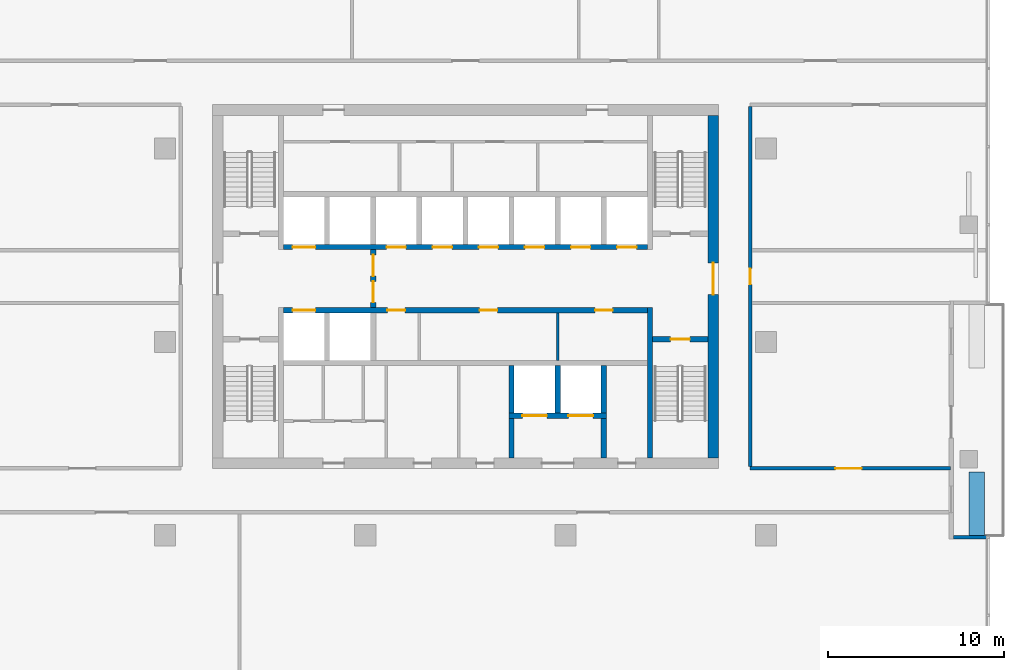
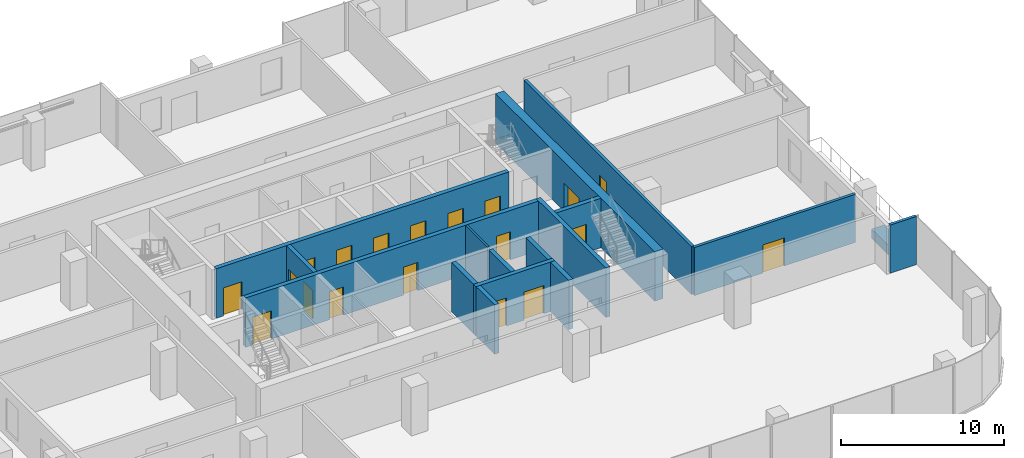
# One storey, part 8 of 13: 19 doors, 17 walls, 19 openings.
"""IFC4 building model written with IfcOpenShell, lengths in metres."""

from ifc_helpers import new_model, si_unit, direction, frame, frame_2d, origin, place, context, subcontext, project, spatial, rectangle, extrude, material, layer, layer_set, type_object, element, fill, save


model = new_model("IFC4")

# Units and contexts
model_context = context("Model", 3, precision=1e-05, world=origin(), true_north=direction((0.0, 1.0)))
body_context = subcontext(model_context, "Body", "Model", "MODEL_VIEW")
ifc_project = project(units=[si_unit("LENGTHUNIT", "METRE"), si_unit("AREAUNIT", "SQUARE_METRE"), si_unit("VOLUMEUNIT", "CUBIC_METRE"), si_unit("PLANEANGLEUNIT", "RADIAN"), si_unit("MASSUNIT", "GRAM", prefix="KILO")], contexts=[model_context])

# Site, building, storey
site_placement = place(None, origin())
site = spatial("IfcSite", under=ifc_project, at=site_placement, CompositionType="ELEMENT")
building_placement = place(site_placement, origin())
building = spatial("IfcBuilding", under=site, at=building_placement, Name="Mopane Tessera Tower", CompositionType="ELEMENT")
storey_placement = place(building_placement, frame((0.0, 0.0, 287.39990234375)))
storey = spatial("IfcBuildingStorey", under=building, at=storey_placement, Name="L62", CompositionType="ELEMENT", Elevation=287.39990234375)

# Wall
ifc_material_1 = material(Name="Fire-rated gypsum board partition")
ifc_layer_1 = layer(ifc_material_1, 0.14990234375)
ifc_layer_set_1 = layer_set([ifc_layer_1], Name="Fire-rated gypsum board partition")
wall_type_1 = type_object("IfcWallType", Name="Core room partition 150 mm", PredefinedType="PARTITIONING", material=ifc_layer_set_1)
wall_1_placement = place(storey_placement, frame((5.25, -1.050048828125, 0.0), z_axis=(0.0, 0.0, 1.0), x_axis=(0.0, 1.0, 0.0)))
element("IfcWall", 1, at=wall_1_placement, inside=storey, type_object=wall_type_1, Name="L62 Room partition", PredefinedType="PARTITIONING", context=body_context, shape_type="SweptSolid", body=[
    extrude(rectangle(XDim=2.699951171875, YDim=0.14990234375, at=frame_2d((1.35009765625, 0.0))), origin(), (0.0, 0.0, 1.0), 3.7001953125),
])

# Wall, opening, door
ifc_material_2 = material(Name="Concrete C70/85", Category="concrete")
ifc_layer_2 = layer(ifc_material_2, 0.60009765625)
ifc_layer_set_2 = layer_set([ifc_layer_2], Name="Concrete C70/85")
wall_type_2 = type_object("IfcWallType", Name="Core shear wall 600 mm", PredefinedType="SHEAR", material=ifc_layer_set_2)
wall_2_placement = place(storey_placement, frame((14.10009765625, -6.60009765625, 0.0), z_axis=(0.0, 0.0, 1.0), x_axis=(0.0, 1.0, 0.0)))
wall_2 = element("IfcWall", 2, at=wall_2_placement, inside=storey, type_object=wall_type_2, Name="L62 Core wall east", PredefinedType="SHEAR", context=body_context, shape_type="SweptSolid", body=[
    extrude(rectangle(XDim=19.5, YDim=0.60009765625, at=frame_2d((9.75, 0.0))), origin(), (0.0, 0.0, 1.0), 3.7001953125),
])
opening_1_placement = place(wall_2_placement, frame((9.300048828125, 0.0, 0.0)))
opening_1 = element("IfcOpeningElement", 3, at=opening_1_placement, cuts=wall_2, Name="Opening SD2", PredefinedType="OPENING", context=body_context, shape_type="SweptSolid", body=[
    extrude(rectangle(XDim=1.800048828125, YDim=2.10009765625, at=frame_2d((0.89990234375, 1.050048828125))), frame((0.0, 0.31201171875, 0.0), z_axis=(0.0, -1.0, 0.0), x_axis=(1.0, 0.0, 0.0)), (0.0, 0.0, 1.0), 0.6240234375),
])
ifc_material_3 = material(Name="Steel fire door", Category="steel")
door_type_1 = type_object("IfcDoorType", Name="Core entrance double door 1800 x 2100", OperationType="DOUBLE_DOOR_SINGLE_SWING", PredefinedType="DOOR", material=ifc_material_3)
door_1_placement = place(opening_1_placement, origin())
door_1 = element("IfcDoor", 4, at=door_1_placement, inside=storey, type_object=door_type_1, Name="L62 Core entrance door east", OperationType="DOUBLE_DOOR_SINGLE_SWING", OverallHeight=2.10009765625, OverallWidth=1.800048828125, PredefinedType="DOOR", context=body_context, shape_type="SweptSolid", body=[
    extrude(rectangle(XDim=1.800048828125, YDim=2.10009765625, at=frame_2d((0.89990234375, 1.050048828125))), frame((0.0, 0.02490234375, 0.0), z_axis=(0.0, -1.0, 0.0), x_axis=(1.0, 0.0, 0.0)), (0.0, 0.0, 1.0), 0.050048828125),
])
fill(opening_1, door_1)

# Wall
ifc_material_4 = material(Name="Concrete C60/75", Category="concrete")
ifc_layer_3 = layer(ifc_material_4, 0.300048828125)
ifc_layer_set_3 = layer_set([ifc_layer_3], Name="Concrete C60/75")
wall_type_3 = type_object("IfcWallType", Name="Core spine wall 300 mm", PredefinedType="SHEAR", material=ifc_layer_set_3)
wall_3_placement = place(storey_placement, frame((10.5, -6.60009765625, 0.0), z_axis=(0.0, 0.0, 1.0), x_axis=(0.0, 1.0, 0.0)))
element("IfcWall", 5, at=wall_3_placement, inside=storey, type_object=wall_type_3, Name="L62 Core spine wall", PredefinedType="SHEAR", context=body_context, shape_type="SweptSolid", body=[
    extrude(rectangle(XDim=8.550048828125, YDim=0.300048828125, at=frame_2d((4.27490234375, 0.0))), origin(), (0.0, 0.0, 1.0), 3.7001953125),
])

# Wall, opening, door
ifc_material_5 = material(Name="Gypsum board on steel studs, two layers each face, mineral wool infill", Category="steel")
ifc_layer_4 = layer(ifc_material_5, 0.199951171875)
ifc_layer_set_4 = layer_set([ifc_layer_4], Name="Gypsum board on steel studs, two layers each face, mineral wool infill")
wall_type_4 = type_object("IfcWallType", Name="Gypsum board corridor wall 200, rated EI 60", PredefinedType="PARTITIONING", material=ifc_layer_set_4)
wall_4_placement = place(storey_placement, frame((16.199951171875, -7.199951171875, 0.0), z_axis=(0.0, 0.0, 1.0), x_axis=(1.0, 0.0, 0.0)))
wall_4 = element("IfcWall", 6, at=wall_4_placement, inside=storey, type_object=wall_type_4, Name="Partition L62:002", PredefinedType="PARTITIONING", context=body_context, shape_type="SweptSolid", body=[
    extrude(rectangle(XDim=11.400146484375, YDim=0.199951171875, at=frame_2d((5.7001953125, 0.0))), origin(), (0.0, 0.0, 1.0), 3.60009765625),
])
opening_2_placement = place(wall_4_placement, frame((4.85009765625, 0.0, 0.0)))
opening_2 = element("IfcOpeningElement", 7, at=opening_2_placement, cuts=wall_4, Name="Opening L62-12", PredefinedType="OPENING", context=body_context, shape_type="SweptSolid", body=[
    extrude(rectangle(XDim=1.5, YDim=2.10009765625, at=frame_2d((0.75, 1.050048828125))), frame((0.0, 0.112060546875, 0.0), z_axis=(0.0, -1.0, 0.0), x_axis=(1.0, 0.0, 0.0)), (0.0, 0.0, 1.0), 0.223876953125),
])
ifc_material_6 = material(Name="Timber veneered steel-framed fire door", Category="steel")
door_type_2 = type_object("IfcDoorType", Name="Fire door pair FD60 1500 x 2100", OperationType="DOUBLE_DOOR_SINGLE_SWING", PredefinedType="DOOR", material=ifc_material_6)
door_2_placement = place(opening_2_placement, origin())
door_2 = element("IfcDoor", 8, at=door_2_placement, inside=storey, type_object=door_type_2, Name="Door L62-12", ObjectType="D17A", OperationType="DOUBLE_DOOR_SINGLE_SWING", OverallHeight=2.10009765625, OverallWidth=1.5, PredefinedType="DOOR", context=body_context, shape_type="SweptSolid", body=[
    extrude(rectangle(XDim=1.5, YDim=2.10009765625, at=frame_2d((0.75, 1.050048828125))), frame((0.0, 0.02490234375, 0.0), z_axis=(0.0, -1.0, 0.0), x_axis=(1.0, 0.0, 0.0)), (0.0, 0.0, 1.0), 0.050048828125),
])
fill(opening_2, door_2)

wall_5_placement = place(storey_placement, frame((16.199951171875, -7.10009765625, 0.0), z_axis=(0.0, 0.0, 1.0), x_axis=(0.0, 1.0, 0.0)))
wall_5 = element("IfcWall", 9, at=wall_5_placement, inside=storey, type_object=wall_type_4, Name="Partition L62:015", PredefinedType="PARTITIONING", context=body_context, shape_type="SweptSolid", body=[
    extrude(rectangle(XDim=20.5, YDim=0.199951171875, at=frame_2d((10.25, 0.0))), origin(), (0.0, 0.0, 1.0), 3.60009765625),
])
opening_3_placement = place(wall_5_placement, frame((10.3701171875, 0.0, 0.0)))
opening_3 = element("IfcOpeningElement", 10, at=opening_3_placement, cuts=wall_5, Name="Opening L62-09", PredefinedType="OPENING", context=body_context, shape_type="SweptSolid", body=[
    extrude(rectangle(XDim=0.89990234375, YDim=2.10009765625, at=frame_2d((0.449951171875, 1.050048828125))), frame((0.0, 0.112060546875, 0.0), z_axis=(0.0, -1.0, 0.0), x_axis=(1.0, 0.0, 0.0)), (0.0, 0.0, 1.0), 0.223876953125),
])
ifc_material_7 = material(Name="Timber veneered steel-framed fire door", Category="steel")
door_type_3 = type_object("IfcDoorType", Name="Fire door FD60 900 x 2100", OperationType="SINGLE_SWING_LEFT", PredefinedType="DOOR", material=ifc_material_7)
door_3_placement = place(opening_3_placement, origin())
door_3 = element("IfcDoor", 11, at=door_3_placement, inside=storey, type_object=door_type_3, Name="Door L62-09", ObjectType="D10A", OperationType="SINGLE_SWING_LEFT", OverallHeight=2.10009765625, OverallWidth=0.89990234375, PredefinedType="DOOR", context=body_context, shape_type="SweptSolid", body=[
    extrude(rectangle(XDim=0.89990234375, YDim=2.10009765625, at=frame_2d((0.449951171875, 1.050048828125))), frame((0.0, 0.02490234375, 0.0), z_axis=(0.0, -1.0, 0.0), x_axis=(1.0, 0.0, 0.0)), (0.0, 0.0, 1.0), 0.050048828125),
])
fill(opening_3, door_3)

ifc_material_8 = material(Name="Concrete C50/60", Category="concrete")
ifc_layer_5 = layer(ifc_material_8, 0.300048828125)
ifc_layer_set_5 = layer_set([ifc_layer_5], Name="Concrete C50/60")
wall_type_5 = type_object("IfcWallType", Name="Lift and stair shaft wall 300 mm", PredefinedType="SOLIDWALL", material=ifc_layer_set_5)
wall_6_placement = place(storey_placement, frame((10.64990234375, 0.14990234375, 0.0), z_axis=(0.0, 0.0, 1.0), x_axis=(1.0, 0.0, 0.0)))
wall_6 = element("IfcWall", 12, at=wall_6_placement, inside=storey, type_object=wall_type_5, Name="L62 Stair enclosure wall", PredefinedType="SOLIDWALL", context=body_context, shape_type="SweptSolid", body=[
    extrude(rectangle(XDim=3.150146484375, YDim=0.300048828125, at=frame_2d((1.5751953125, 0.0))), origin(), (0.0, 0.0, 1.0), 3.7001953125),
])
opening_4_placement = place(wall_6_placement, frame((1.02490234375, 0.0, 0.0)))
opening_4 = element("IfcOpeningElement", 13, at=opening_4_placement, cuts=wall_6, Name="Opening SD1", PredefinedType="OPENING", context=body_context, shape_type="SweptSolid", body=[
    extrude(rectangle(XDim=1.10009765625, YDim=2.10009765625, at=frame_2d((0.550048828125, 1.050048828125))), frame((0.0, 0.162109375, 0.0), z_axis=(0.0, -1.0, 0.0), x_axis=(1.0, 0.0, 0.0)), (0.0, 0.0, 1.0), 0.323974609375),
])
ifc_material_9 = material(Name="Steel fire door", Category="steel")
door_type_4 = type_object("IfcDoorType", Name="Stair fire door 1100 x 2100", OperationType="SINGLE_SWING_LEFT", PredefinedType="DOOR", material=ifc_material_9)
door_4_placement = place(opening_4_placement, origin())
door_4 = element("IfcDoor", 14, at=door_4_placement, inside=storey, type_object=door_type_4, Name="L62 Stair door ST3", OperationType="SINGLE_SWING_RIGHT", OverallHeight=2.10009765625, OverallWidth=1.10009765625, PredefinedType="DOOR", context=body_context, shape_type="SweptSolid", body=[
    extrude(rectangle(XDim=1.10009765625, YDim=2.10009765625, at=frame_2d((0.550048828125, 1.050048828125))), frame((0.0, 0.02490234375, 0.0), z_axis=(0.0, -1.0, 0.0), x_axis=(1.0, 0.0, 0.0)), (0.0, 0.0, 1.0), 0.050048828125),
])
fill(opening_4, door_4)

# Wall, openings, doors
wall_7_placement = place(storey_placement, frame((-10.35009765625, 1.800048828125, 0.0), z_axis=(0.0, 0.0, 1.0), x_axis=(1.0, 0.0, 0.0)))
wall_7 = element("IfcWall", 15, at=wall_7_placement, inside=storey, type_object=wall_type_5, Name="L62 Lift shaft front wall", PredefinedType="SOLIDWALL", context=body_context, shape_type="SweptSolid", body=[
    extrude(rectangle(XDim=20.7001953125, YDim=0.300048828125, at=frame_2d((10.35009765625, 0.0))), origin(), (0.0, 0.0, 1.0), 3.7001953125),
])
opening_5_placement = place(wall_7_placement, frame((0.512451171875, 0.0, 0.0)))
opening_5 = element("IfcOpeningElement", 16, at=opening_5_placement, cuts=wall_7, Name="Opening LD2", PredefinedType="OPENING", context=body_context, shape_type="SweptSolid", body=[
    extrude(rectangle(XDim=1.300048828125, YDim=2.10009765625, at=frame_2d((0.64990234375, 1.050048828125))), frame((0.0, 0.162109375, 0.0), z_axis=(0.0, -1.0, 0.0), x_axis=(1.0, 0.0, 0.0)), (0.0, 0.0, 1.0), 0.323974609375),
])
opening_6_placement = place(wall_7_placement, frame((5.91259765625, 0.0, 0.0)))
opening_6 = element("IfcOpeningElement", 17, at=opening_6_placement, cuts=wall_7, Name="Opening RD1", PredefinedType="OPENING", context=body_context, shape_type="SweptSolid", body=[
    extrude(rectangle(XDim=1.0, YDim=2.10009765625, at=frame_2d((0.5, 1.050048828125))), frame((0.0, 0.162109375, 0.0), z_axis=(0.0, -1.0, 0.0), x_axis=(1.0, 0.0, 0.0)), (0.0, 0.0, 1.0), 0.323974609375),
])
opening_7_placement = place(wall_7_placement, frame((11.16259765625, 0.0, 0.0)))
opening_7 = element("IfcOpeningElement", 18, at=opening_7_placement, cuts=wall_7, Name="Opening RD1", PredefinedType="OPENING", context=body_context, shape_type="SweptSolid", body=[
    extrude(rectangle(XDim=1.0, YDim=2.10009765625, at=frame_2d((0.5, 1.050048828125))), frame((0.0, 0.162109375, 0.0), z_axis=(0.0, -1.0, 0.0), x_axis=(1.0, 0.0, 0.0)), (0.0, 0.0, 1.0), 0.323974609375),
])
opening_8_placement = place(wall_7_placement, frame((17.72509765625, 0.0, 0.0)))
opening_8 = element("IfcOpeningElement", 19, at=opening_8_placement, cuts=wall_7, Name="Opening RD1", PredefinedType="OPENING", context=body_context, shape_type="SweptSolid", body=[
    extrude(rectangle(XDim=1.0, YDim=2.10009765625, at=frame_2d((0.5, 1.050048828125))), frame((0.0, 0.162109375, 0.0), z_axis=(0.0, -1.0, 0.0), x_axis=(1.0, 0.0, 0.0)), (0.0, 0.0, 1.0), 0.323974609375),
])
ifc_material_10 = material(Name="Timber door", Category="wood")
door_type_5 = type_object("IfcDoorType", Name="Core room door 1000 x 2100", OperationType="SINGLE_SWING_LEFT", PredefinedType="DOOR", material=ifc_material_10)
door_5_placement = place(opening_6_placement, origin())
door_5 = element("IfcDoor", 20, at=door_5_placement, inside=storey, type_object=door_type_5, Name="L62 Room door", OperationType="SINGLE_SWING_LEFT", OverallHeight=2.10009765625, OverallWidth=1.0, PredefinedType="DOOR", context=body_context, shape_type="SweptSolid", body=[
    extrude(rectangle(XDim=1.0, YDim=2.10009765625, at=frame_2d((0.5, 1.050048828125))), frame((0.0, 0.02490234375, 0.0), z_axis=(0.0, -1.0, 0.0), x_axis=(1.0, 0.0, 0.0)), (0.0, 0.0, 1.0), 0.050048828125),
])
fill(opening_6, door_5)
door_6_placement = place(opening_7_placement, origin())
door_6 = element("IfcDoor", 21, at=door_6_placement, inside=storey, type_object=door_type_5, Name="L62 Room door", OperationType="SINGLE_SWING_LEFT", OverallHeight=2.10009765625, OverallWidth=1.0, PredefinedType="DOOR", context=body_context, shape_type="SweptSolid", body=[
    extrude(rectangle(XDim=1.0, YDim=2.10009765625, at=frame_2d((0.5, 1.050048828125))), frame((0.0, 0.02490234375, 0.0), z_axis=(0.0, -1.0, 0.0), x_axis=(1.0, 0.0, 0.0)), (0.0, 0.0, 1.0), 0.050048828125),
])
fill(opening_7, door_6)
door_7_placement = place(opening_8_placement, origin())
door_7 = element("IfcDoor", 22, at=door_7_placement, inside=storey, type_object=door_type_5, Name="L62 Room door", OperationType="SINGLE_SWING_LEFT", OverallHeight=2.10009765625, OverallWidth=1.0, PredefinedType="DOOR", context=body_context, shape_type="SweptSolid", body=[
    extrude(rectangle(XDim=1.0, YDim=2.10009765625, at=frame_2d((0.5, 1.050048828125))), frame((0.0, 0.02490234375, 0.0), z_axis=(0.0, -1.0, 0.0), x_axis=(1.0, 0.0, 0.0)), (0.0, 0.0, 1.0), 0.050048828125),
])
fill(opening_8, door_7)
ifc_material_11 = material(Name="Stainless steel sliding door", Category="steel")
door_type_6 = type_object("IfcDoorType", Name="Fire-fighting lift landing door 1300 x 2100", OperationType="DOUBLE_DOOR_SLIDING", PredefinedType="DOOR", material=ifc_material_11)
door_8_placement = place(opening_5_placement, origin())
door_8 = element("IfcDoor", 23, at=door_8_placement, inside=storey, type_object=door_type_6, Name="L62 Lift landing door FF1", OperationType="DOUBLE_DOOR_SLIDING", OverallHeight=2.10009765625, OverallWidth=1.300048828125, PredefinedType="DOOR", context=body_context, shape_type="SweptSolid", body=[
    extrude(rectangle(XDim=1.300048828125, YDim=2.10009765625, at=frame_2d((0.64990234375, 1.050048828125))), frame((0.0, 0.02490234375, 0.0), z_axis=(0.0, -1.0, 0.0), x_axis=(1.0, 0.0, 0.0)), (0.0, 0.0, 1.0), 0.050048828125),
])
fill(opening_5, door_8)

wall_8_placement = place(storey_placement, frame((-10.35009765625, 5.39990234375, 0.0), z_axis=(0.0, 0.0, 1.0), x_axis=(1.0, 0.0, 0.0)))
wall_8 = element("IfcWall", 24, at=wall_8_placement, inside=storey, type_object=wall_type_5, Name="L62 Lift shaft front wall", PredefinedType="SOLIDWALL", context=body_context, shape_type="SweptSolid", body=[
    extrude(rectangle(XDim=20.7001953125, YDim=0.300048828125, at=frame_2d((10.35009765625, 0.0))), origin(), (0.0, 0.0, 1.0), 3.7001953125),
])
opening_9_placement = place(wall_8_placement, frame((0.512451171875, 0.0, 0.0)))
opening_9 = element("IfcOpeningElement", 25, at=opening_9_placement, cuts=wall_8, Name="Opening LD2", PredefinedType="OPENING", context=body_context, shape_type="SweptSolid", body=[
    extrude(rectangle(XDim=1.300048828125, YDim=2.10009765625, at=frame_2d((0.64990234375, 1.050048828125))), frame((0.0, 0.162109375, 0.0), z_axis=(0.0, -1.0, 0.0), x_axis=(1.0, 0.0, 0.0)), (0.0, 0.0, 1.0), 0.323974609375),
])
opening_10_placement = place(wall_8_placement, frame((5.862548828125, 0.0, 0.0)))
opening_10 = element("IfcOpeningElement", 26, at=opening_10_placement, cuts=wall_8, Name="Opening LD", PredefinedType="OPENING", context=body_context, shape_type="SweptSolid", body=[
    extrude(rectangle(XDim=1.10009765625, YDim=2.10009765625, at=frame_2d((0.550048828125, 1.050048828125))), frame((0.0, 0.162109375, 0.0), z_axis=(0.0, -1.0, 0.0), x_axis=(1.0, 0.0, 0.0)), (0.0, 0.0, 1.0), 0.323974609375),
])
opening_11_placement = place(wall_8_placement, frame((8.487548828125, 0.0, 0.0)))
opening_11 = element("IfcOpeningElement", 27, at=opening_11_placement, cuts=wall_8, Name="Opening LD", PredefinedType="OPENING", context=body_context, shape_type="SweptSolid", body=[
    extrude(rectangle(XDim=1.10009765625, YDim=2.10009765625, at=frame_2d((0.550048828125, 1.050048828125))), frame((0.0, 0.162109375, 0.0), z_axis=(0.0, -1.0, 0.0), x_axis=(1.0, 0.0, 0.0)), (0.0, 0.0, 1.0), 0.323974609375),
])
opening_12_placement = place(wall_8_placement, frame((11.112548828125, 0.0, 0.0)))
opening_12 = element("IfcOpeningElement", 28, at=opening_12_placement, cuts=wall_8, Name="Opening LD", PredefinedType="OPENING", context=body_context, shape_type="SweptSolid", body=[
    extrude(rectangle(XDim=1.10009765625, YDim=2.10009765625, at=frame_2d((0.550048828125, 1.050048828125))), frame((0.0, 0.162109375, 0.0), z_axis=(0.0, -1.0, 0.0), x_axis=(1.0, 0.0, 0.0)), (0.0, 0.0, 1.0), 0.323974609375),
])
opening_13_placement = place(wall_8_placement, frame((13.737548828125, 0.0, 0.0)))
opening_13 = element("IfcOpeningElement", 29, at=opening_13_placement, cuts=wall_8, Name="Opening LD", PredefinedType="OPENING", context=body_context, shape_type="SweptSolid", body=[
    extrude(rectangle(XDim=1.10009765625, YDim=2.10009765625, at=frame_2d((0.550048828125, 1.050048828125))), frame((0.0, 0.162109375, 0.0), z_axis=(0.0, -1.0, 0.0), x_axis=(1.0, 0.0, 0.0)), (0.0, 0.0, 1.0), 0.323974609375),
])
opening_14_placement = place(wall_8_placement, frame((16.362548828125, 0.0, 0.0)))
opening_14 = element("IfcOpeningElement", 30, at=opening_14_placement, cuts=wall_8, Name="Opening LD", PredefinedType="OPENING", context=body_context, shape_type="SweptSolid", body=[
    extrude(rectangle(XDim=1.10009765625, YDim=2.10009765625, at=frame_2d((0.550048828125, 1.050048828125))), frame((0.0, 0.162109375, 0.0), z_axis=(0.0, -1.0, 0.0), x_axis=(1.0, 0.0, 0.0)), (0.0, 0.0, 1.0), 0.323974609375),
])
opening_15_placement = place(wall_8_placement, frame((18.987548828125, 0.0, 0.0)))
opening_15 = element("IfcOpeningElement", 31, at=opening_15_placement, cuts=wall_8, Name="Opening LD", PredefinedType="OPENING", context=body_context, shape_type="SweptSolid", body=[
    extrude(rectangle(XDim=1.10009765625, YDim=2.10009765625, at=frame_2d((0.550048828125, 1.050048828125))), frame((0.0, 0.162109375, 0.0), z_axis=(0.0, -1.0, 0.0), x_axis=(1.0, 0.0, 0.0)), (0.0, 0.0, 1.0), 0.323974609375),
])
door_9_placement = place(opening_9_placement, origin())
door_9 = element("IfcDoor", 32, at=door_9_placement, inside=storey, type_object=door_type_6, Name="L62 Lift landing door FF2", OperationType="DOUBLE_DOOR_SLIDING", OverallHeight=2.10009765625, OverallWidth=1.300048828125, PredefinedType="DOOR", context=body_context, shape_type="SweptSolid", body=[
    extrude(rectangle(XDim=1.300048828125, YDim=2.10009765625, at=frame_2d((0.64990234375, 1.050048828125))), frame((0.0, 0.02490234375, 0.0), z_axis=(0.0, -1.0, 0.0), x_axis=(1.0, 0.0, 0.0)), (0.0, 0.0, 1.0), 0.050048828125),
])
fill(opening_9, door_9)
ifc_material_12 = material(Name="Stainless steel sliding door", Category="steel")
door_type_7 = type_object("IfcDoorType", Name="Lift landing door 1100 x 2100", OperationType="DOUBLE_DOOR_SLIDING", PredefinedType="DOOR", material=ifc_material_12)
door_10_placement = place(opening_10_placement, origin())
door_10 = element("IfcDoor", 33, at=door_10_placement, inside=storey, type_object=door_type_7, Name="L62 Lift landing door HR1", OperationType="DOUBLE_DOOR_SLIDING", OverallHeight=2.10009765625, OverallWidth=1.10009765625, PredefinedType="DOOR", context=body_context, shape_type="SweptSolid", body=[
    extrude(rectangle(XDim=1.10009765625, YDim=2.10009765625, at=frame_2d((0.550048828125, 1.050048828125))), frame((0.0, 0.02490234375, 0.0), z_axis=(0.0, -1.0, 0.0), x_axis=(1.0, 0.0, 0.0)), (0.0, 0.0, 1.0), 0.050048828125),
])
fill(opening_10, door_10)
door_11_placement = place(opening_11_placement, origin())
door_11 = element("IfcDoor", 34, at=door_11_placement, inside=storey, type_object=door_type_7, Name="L62 Lift landing door HR2", OperationType="DOUBLE_DOOR_SLIDING", OverallHeight=2.10009765625, OverallWidth=1.10009765625, PredefinedType="DOOR", context=body_context, shape_type="SweptSolid", body=[
    extrude(rectangle(XDim=1.10009765625, YDim=2.10009765625, at=frame_2d((0.550048828125, 1.050048828125))), frame((0.0, 0.02490234375, 0.0), z_axis=(0.0, -1.0, 0.0), x_axis=(1.0, 0.0, 0.0)), (0.0, 0.0, 1.0), 0.050048828125),
])
fill(opening_11, door_11)
door_12_placement = place(opening_12_placement, origin())
door_12 = element("IfcDoor", 35, at=door_12_placement, inside=storey, type_object=door_type_7, Name="L62 Lift landing door HR3", OperationType="DOUBLE_DOOR_SLIDING", OverallHeight=2.10009765625, OverallWidth=1.10009765625, PredefinedType="DOOR", context=body_context, shape_type="SweptSolid", body=[
    extrude(rectangle(XDim=1.10009765625, YDim=2.10009765625, at=frame_2d((0.550048828125, 1.050048828125))), frame((0.0, 0.02490234375, 0.0), z_axis=(0.0, -1.0, 0.0), x_axis=(1.0, 0.0, 0.0)), (0.0, 0.0, 1.0), 0.050048828125),
])
fill(opening_12, door_12)
door_13_placement = place(opening_13_placement, origin())
door_13 = element("IfcDoor", 36, at=door_13_placement, inside=storey, type_object=door_type_7, Name="L62 Lift landing door HR4", OperationType="DOUBLE_DOOR_SLIDING", OverallHeight=2.10009765625, OverallWidth=1.10009765625, PredefinedType="DOOR", context=body_context, shape_type="SweptSolid", body=[
    extrude(rectangle(XDim=1.10009765625, YDim=2.10009765625, at=frame_2d((0.550048828125, 1.050048828125))), frame((0.0, 0.02490234375, 0.0), z_axis=(0.0, -1.0, 0.0), x_axis=(1.0, 0.0, 0.0)), (0.0, 0.0, 1.0), 0.050048828125),
])
fill(opening_13, door_13)
door_14_placement = place(opening_14_placement, origin())
door_14 = element("IfcDoor", 37, at=door_14_placement, inside=storey, type_object=door_type_7, Name="L62 Lift landing door HR5", OperationType="DOUBLE_DOOR_SLIDING", OverallHeight=2.10009765625, OverallWidth=1.10009765625, PredefinedType="DOOR", context=body_context, shape_type="SweptSolid", body=[
    extrude(rectangle(XDim=1.10009765625, YDim=2.10009765625, at=frame_2d((0.550048828125, 1.050048828125))), frame((0.0, 0.02490234375, 0.0), z_axis=(0.0, -1.0, 0.0), x_axis=(1.0, 0.0, 0.0)), (0.0, 0.0, 1.0), 0.050048828125),
])
fill(opening_14, door_14)
door_15_placement = place(opening_15_placement, origin())
door_15 = element("IfcDoor", 38, at=door_15_placement, inside=storey, type_object=door_type_7, Name="L62 Lift landing door HR6", OperationType="DOUBLE_DOOR_SLIDING", OverallHeight=2.10009765625, OverallWidth=1.10009765625, PredefinedType="DOOR", context=body_context, shape_type="SweptSolid", body=[
    extrude(rectangle(XDim=1.10009765625, YDim=2.10009765625, at=frame_2d((0.550048828125, 1.050048828125))), frame((0.0, 0.02490234375, 0.0), z_axis=(0.0, -1.0, 0.0), x_axis=(1.0, 0.0, 0.0)), (0.0, 0.0, 1.0), 0.050048828125),
])
fill(opening_15, door_15)

wall_9_placement = place(storey_placement, frame((2.47509765625, -4.199951171875, 0.0), z_axis=(0.0, 0.0, 1.0), x_axis=(1.0, 0.0, 0.0)))
wall_9 = element("IfcWall", 39, at=wall_9_placement, inside=storey, type_object=wall_type_5, Name="L62 Lift shaft front wall", PredefinedType="SOLIDWALL", context=body_context, shape_type="SweptSolid", body=[
    extrude(rectangle(XDim=5.5498046875, YDim=0.300048828125, at=frame_2d((2.77490234375, 0.0))), origin(), (0.0, 0.0, 1.0), 3.7001953125),
])
opening_16_placement = place(wall_9_placement, frame((0.762451171875, 0.0, 0.0)))
opening_16 = element("IfcOpeningElement", 40, at=opening_16_placement, cuts=wall_9, Name="Opening LD3", PredefinedType="OPENING", context=body_context, shape_type="SweptSolid", body=[
    extrude(rectangle(XDim=1.39990234375, YDim=2.10009765625, at=frame_2d((0.699951171875, 1.050048828125))), frame((0.0, 0.162109375, 0.0), z_axis=(0.0, -1.0, 0.0), x_axis=(1.0, 0.0, 0.0)), (0.0, 0.0, 1.0), 0.323974609375),
])
opening_17_placement = place(wall_9_placement, frame((3.387451171875, 0.0, 0.0)))
opening_17 = element("IfcOpeningElement", 41, at=opening_17_placement, cuts=wall_9, Name="Opening LD3", PredefinedType="OPENING", context=body_context, shape_type="SweptSolid", body=[
    extrude(rectangle(XDim=1.39990234375, YDim=2.10009765625, at=frame_2d((0.699951171875, 1.050048828125))), frame((0.0, 0.162109375, 0.0), z_axis=(0.0, -1.0, 0.0), x_axis=(1.0, 0.0, 0.0)), (0.0, 0.0, 1.0), 0.323974609375),
])
ifc_material_13 = material(Name="Stainless steel sliding door", Category="steel")
door_type_8 = type_object("IfcDoorType", Name="Service lift landing door 1400 x 2100", OperationType="DOUBLE_DOOR_SLIDING", PredefinedType="DOOR", material=ifc_material_13)
door_16_placement = place(opening_16_placement, origin())
door_16 = element("IfcDoor", 42, at=door_16_placement, inside=storey, type_object=door_type_8, Name="L62 Lift landing door SV1", OperationType="DOUBLE_DOOR_SLIDING", OverallHeight=2.10009765625, OverallWidth=1.39990234375, PredefinedType="DOOR", context=body_context, shape_type="SweptSolid", body=[
    extrude(rectangle(XDim=1.39990234375, YDim=2.10009765625, at=frame_2d((0.699951171875, 1.050048828125))), frame((0.0, 0.02490234375, 0.0), z_axis=(0.0, -1.0, 0.0), x_axis=(1.0, 0.0, 0.0)), (0.0, 0.0, 1.0), 0.050048828125),
])
fill(opening_16, door_16)
door_17_placement = place(opening_17_placement, origin())
door_17 = element("IfcDoor", 43, at=door_17_placement, inside=storey, type_object=door_type_8, Name="L62 Lift landing door SV2", OperationType="DOUBLE_DOOR_SLIDING", OverallHeight=2.10009765625, OverallWidth=1.39990234375, PredefinedType="DOOR", context=body_context, shape_type="SweptSolid", body=[
    extrude(rectangle(XDim=1.39990234375, YDim=2.10009765625, at=frame_2d((0.699951171875, 1.050048828125))), frame((0.0, 0.02490234375, 0.0), z_axis=(0.0, -1.0, 0.0), x_axis=(1.0, 0.0, 0.0)), (0.0, 0.0, 1.0), 0.050048828125),
])
fill(opening_17, door_17)

# Walls
for number, where, z_axis, x_axis, name in (
    (44, (2.625, -4.050048828125, 0.0), (0.0, 0.0, 1.0), (0.0, 1.0, 0.0), "L62 Lift shaft wall"),
    (45, (5.25, -4.050048828125, 0.0), (0.0, 0.0, 1.0), (0.0, 1.0, 0.0), "L62 Lift shaft wall"),
    (46, (7.875, -4.050048828125, 0.0), (0.0, 0.0, 1.0), (0.0, 1.0, 0.0), "L62 Lift shaft wall"),
):
    element("IfcWall", number, at=place(storey_placement, frame(where, z_axis=z_axis, x_axis=x_axis)), inside=storey, type_object=wall_type_5, Name=name, PredefinedType="SOLIDWALL", context=body_context, shape_type="SweptSolid", body=[
        extrude(rectangle(XDim=2.699951171875, YDim=0.300048828125, at=frame_2d((1.35009765625, 0.0))), origin(), (0.0, 0.0, 1.0), 3.7001953125),
    ])

# Wall, openings, doors
ifc_material_14 = material(Name="Concrete C50/60", Category="concrete")
ifc_layer_6 = layer(ifc_material_14, 0.300048828125)
ifc_layer_set_6 = layer_set([ifc_layer_6], Name="Concrete C50/60")
wall_type_6 = type_object("IfcWallType", Name="Lobby and refuge room wall 300 mm", PredefinedType="SOLIDWALL", material=ifc_layer_set_6)
wall_10_placement = place(storey_placement, frame((-5.25, 1.949951171875, 0.0), z_axis=(0.0, 0.0, 1.0), x_axis=(0.0, 1.0, 0.0)))
wall_10 = element("IfcWall", 47, at=wall_10_placement, inside=storey, type_object=wall_type_6, Name="L62 Fire-fighting lobby wall", PredefinedType="SOLIDWALL", context=body_context, shape_type="SweptSolid", body=[
    extrude(rectangle(XDim=3.300048828125, YDim=0.300048828125, at=frame_2d((1.64990234375, 0.0))), origin(), (0.0, 0.0, 1.0), 3.7001953125),
])
opening_18_placement = place(wall_10_placement, frame((0.300048828125, 0.0, 0.0)))
opening_18 = element("IfcOpeningElement", 48, at=opening_18_placement, cuts=wall_10, Name="Opening SD3", PredefinedType="OPENING", context=body_context, shape_type="SweptSolid", body=[
    extrude(rectangle(XDim=1.199951171875, YDim=2.10009765625, at=frame_2d((0.60009765625, 1.050048828125))), frame((0.0, 0.162109375, 0.0), z_axis=(0.0, -1.0, 0.0), x_axis=(1.0, 0.0, 0.0)), (0.0, 0.0, 1.0), 0.323974609375),
])
opening_19_placement = place(wall_10_placement, frame((1.800048828125, 0.0, 0.0)))
opening_19 = element("IfcOpeningElement", 49, at=opening_19_placement, cuts=wall_10, Name="Opening SD3", PredefinedType="OPENING", context=body_context, shape_type="SweptSolid", body=[
    extrude(rectangle(XDim=1.199951171875, YDim=2.10009765625, at=frame_2d((0.60009765625, 1.050048828125))), frame((0.0, 0.162109375, 0.0), z_axis=(0.0, -1.0, 0.0), x_axis=(1.0, 0.0, 0.0)), (0.0, 0.0, 1.0), 0.323974609375),
])
ifc_material_15 = material(Name="Steel fire door", Category="steel")
door_type_9 = type_object("IfcDoorType", Name="Lobby fire door 1200 x 2100", OperationType="SINGLE_SWING_LEFT", PredefinedType="DOOR", material=ifc_material_15)
door_18_placement = place(opening_18_placement, origin())
door_18 = element("IfcDoor", 50, at=door_18_placement, inside=storey, type_object=door_type_9, Name="L62 Fire-fighting lobby door", OperationType="SINGLE_SWING_LEFT", OverallHeight=2.10009765625, OverallWidth=1.199951171875, PredefinedType="DOOR", context=body_context, shape_type="SweptSolid", body=[
    extrude(rectangle(XDim=1.199951171875, YDim=2.10009765625, at=frame_2d((0.60009765625, 1.050048828125))), frame((0.0, 0.02490234375, 0.0), z_axis=(0.0, -1.0, 0.0), x_axis=(1.0, 0.0, 0.0)), (0.0, 0.0, 1.0), 0.050048828125),
])
fill(opening_18, door_18)
door_19_placement = place(opening_19_placement, origin())
door_19 = element("IfcDoor", 51, at=door_19_placement, inside=storey, type_object=door_type_9, Name="L62 Fire-fighting lobby door", OperationType="SINGLE_SWING_RIGHT", OverallHeight=2.10009765625, OverallWidth=1.199951171875, PredefinedType="DOOR", context=body_context, shape_type="SweptSolid", body=[
    extrude(rectangle(XDim=1.199951171875, YDim=2.10009765625, at=frame_2d((0.60009765625, 1.050048828125))), frame((0.0, 0.02490234375, 0.0), z_axis=(0.0, -1.0, 0.0), x_axis=(1.0, 0.0, 0.0)), (0.0, 0.0, 1.0), 0.050048828125),
])
fill(opening_19, door_19)

# Walls
for number, where, z_axis, x_axis, name in (
    (52, (2.625, -6.60009765625, 0.0), (0.0, 0.0, 1.0), (0.0, 1.0, 0.0), "L62 Service lobby wall"),
    (53, (7.875, -6.60009765625, 0.0), (0.0, 0.0, 1.0), (0.0, 1.0, 0.0), "L62 Service lobby wall"),
):
    element("IfcWall", number, at=place(storey_placement, frame(where, z_axis=z_axis, x_axis=x_axis)), inside=storey, type_object=wall_type_6, Name=name, PredefinedType="SOLIDWALL", context=body_context, shape_type="SweptSolid", body=[
        extrude(rectangle(XDim=2.25, YDim=0.300048828125, at=frame_2d((1.125, 0.0))), origin(), (0.0, 0.0, 1.0), 3.7001953125),
    ])
ifc_material_16 = material(Name="Reinforced concrete C32/40 with waterproofing", Category="concrete")
ifc_layer_7 = layer(ifc_material_16, 0.89990234375)
ifc_layer_set_7 = layer_set([ifc_layer_7], Name="Reinforced concrete C32/40 with waterproofing")
wall_type_7 = type_object("IfcWallType", Name="Planter trough 3600 x 900", PredefinedType="STANDARD", material=ifc_layer_set_7)
wall_11_placement = place(storey_placement, frame((29.10009765625, -11.01123046875, 0.0), z_axis=(0.0, 0.0, 1.0), x_axis=(0.0, 1.0, 0.0)))
element("IfcWall", 54, at=wall_11_placement, inside=storey, type_object=wall_type_7, Name="e:nw:L62:N1:pl0", PredefinedType="STANDARD", context=body_context, shape_type="SweptSolid", body=[
    extrude(rectangle(XDim=3.60009765625, YDim=0.89990234375, at=frame_2d((1.800048828125, 0.0))), origin(), (0.0, 0.0, 1.0), 0.7001953125),
])
ifc_material_17 = material(Name="Blockwork with glazed tile facing", Category="masonry")
ifc_layer_8 = layer(ifc_material_17, 0.199951171875)
ifc_layer_set_8 = layer_set([ifc_layer_8], Name="Blockwork with glazed tile facing")
wall_type_8 = type_object("IfcWallType", Name="Terrace cheek wall 200", PredefinedType="STANDARD", material=ifc_layer_set_8)
wall_12_placement = place(storey_placement, frame((29.64990234375, -11.111083984375, 0.0), z_axis=(0.0, 0.0, 1.0), x_axis=(-1.0, 0.0, 0.0)))
element("IfcWall", 55, at=wall_12_placement, inside=storey, type_object=wall_type_8, Name="e:nw:L62:N1:cheeka", PredefinedType="STANDARD", context=body_context, shape_type="SweptSolid", body=[
    extrude(rectangle(XDim=1.875, YDim=0.199951171875, at=frame_2d((0.9375, 0.0))), origin(), (0.0, 0.0, 1.0), 3.60009765625),
])

save(model, "model.ifc")
